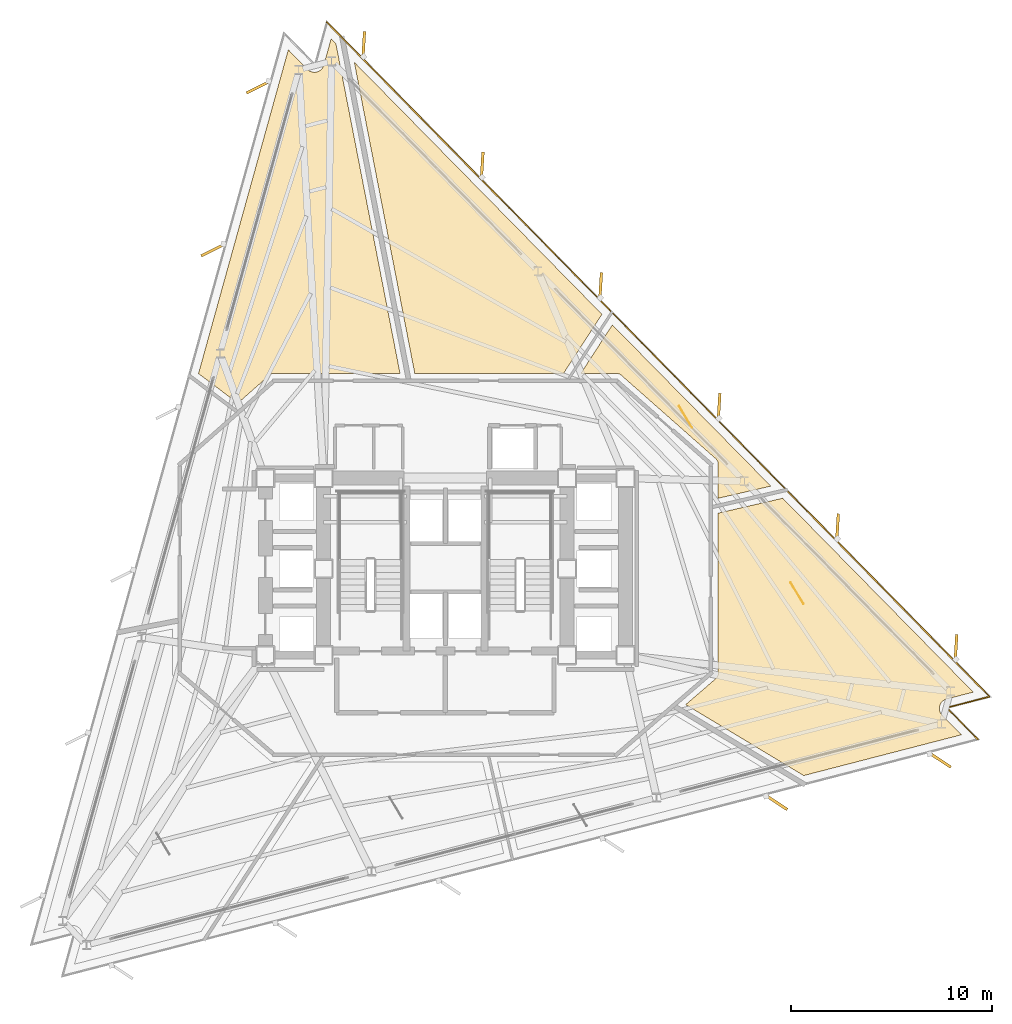
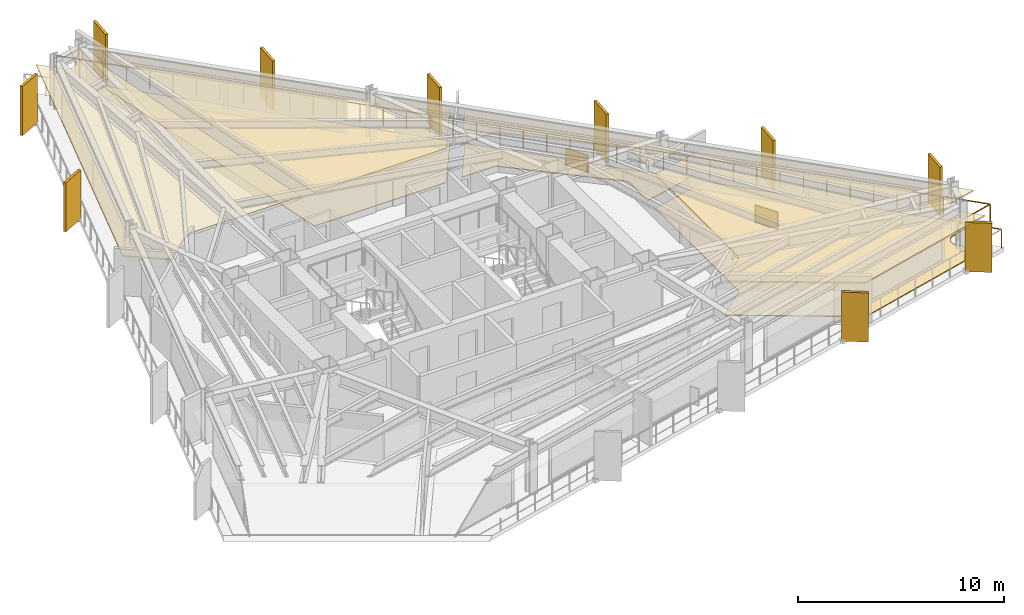
# One storey, part 11 of 11: 10 shading devices, 9 coverings, 1 railing.
"""IFC4 building model written with IfcOpenShell, lengths in metres."""

import ifcopenshell
import ifcopenshell.guid

model = None  # the IFC model being written
_history = None  # IfcOwnerHistory: only IFC2X3 demands one
_inside = {}  # id of a spatial element -> (the spatial element, [elements in it])
_under = {}  # id of a project, library or spatial element -> (it, [spatial elements below it])
_declared = {}  # id of a project -> (the project, [libraries it declares])
_typed = {}  # id of a type object -> (the type object, [elements of that type])
_made_of = {}  # id of a material, layer set ... -> (it, [elements and type objects made of it])


def new_model(schema):
    """Start an empty IFC model of exactly this schema.

    Asked for "IFC4X3", IfcOpenShell would pick the latest addendum, in which some entities
    have other attributes; the version numbers below select the first issue.
    IFC2X3 requires an IfcOwnerHistory on every rooted entity: one is made here for all.
    """
    global model, _history
    if schema == "IFC4X3":
        model = ifcopenshell.file(schema_version=(4, 3, 0, 0))
    else:
        model = ifcopenshell.file(schema=schema)
    _inside.clear()
    _under.clear()
    _declared.clear()
    _typed.clear()
    _made_of.clear()
    _history = None
    if model.schema == "IFC2X3":
        org = make("IfcOrganization", Name="unknown")
        user = make(
            "IfcPersonAndOrganization",
            ThePerson=make("IfcPerson", FamilyName="unknown"),
            TheOrganization=org,
        )
        app = make(
            "IfcApplication",
            ApplicationDeveloper=org,
            Version="unknown",
            ApplicationFullName="unknown",
            ApplicationIdentifier="unknown",
        )
        _history = make(
            "IfcOwnerHistory",
            OwningUser=user,
            OwningApplication=app,
            ChangeAction="ADDED",
            CreationDate=0,
        )
    return model


def make(cls, **values):
    """One entity of the class cls with the attributes given. An attribute that is None is left unset."""
    return model.create_entity(
        cls, **{name: value for name, value in values.items() if value is not None}
    )


def rooted(cls, **values):
    """An entity with a GlobalId (a new one), such as an element, a storey or a relation."""
    return make(cls, GlobalId=ifcopenshell.guid.new(), OwnerHistory=_history, **values)


def si_unit(unit_type, name, prefix=None):
    """IfcSIUnit, for example si_unit("LENGTHUNIT", "METRE", prefix="MILLI")."""
    return make("IfcSIUnit", UnitType=unit_type, Prefix=prefix, Name=name)


def assignment(units):
    """IfcUnitAssignment: the units of a project."""
    return None if units is None else make("IfcUnitAssignment", Units=units)


def point(xyz):
    """IfcCartesianPoint."""
    return None if xyz is None else make("IfcCartesianPoint", Coordinates=xyz)


def direction(xyz):
    """IfcDirection."""
    return None if xyz is None else make("IfcDirection", DirectionRatios=xyz)


def frame(location, z_axis=None, x_axis=None):
    """IfcAxis2Placement3D, a coordinate frame: its origin and axes. An axis left out is left unset."""
    return make(
        "IfcAxis2Placement3D",
        Location=point(location),
        Axis=direction(z_axis),
        RefDirection=direction(x_axis),
    )


def frame_2d(location, x_axis=None):
    """IfcAxis2Placement2D, a coordinate frame in the plane: its origin and x axis."""
    return make(
        "IfcAxis2Placement2D", Location=point(location), RefDirection=direction(x_axis)
    )


def origin():
    """The frame at (0, 0, 0) with its axes left unset."""
    return frame((0.0, 0.0, 0.0))


def origin_2d():
    """The frame at (0, 0) in the plane with its x axis left unset."""
    return frame_2d((0.0, 0.0))


def place(relative_to, where):
    """IfcLocalPlacement: puts the frame where relative to a parent placement (None: the world)."""
    return make(
        "IfcLocalPlacement", PlacementRelTo=relative_to, RelativePlacement=where
    )


def context(
    kind, dimensions, precision=None, world=None, true_north=None, identifier=None
):
    """IfcGeometricRepresentationContext, for example the 3D "Model" context."""
    return make(
        "IfcGeometricRepresentationContext",
        ContextIdentifier=identifier,
        ContextType=kind,
        CoordinateSpaceDimension=dimensions,
        Precision=precision,
        WorldCoordinateSystem=world,
        TrueNorth=true_north,
    )


def subcontext(parent, identifier, kind, view, scale=None):
    """IfcGeometricRepresentationSubContext, for example "Body" below "Model"."""
    return make(
        "IfcGeometricRepresentationSubContext",
        ContextIdentifier=identifier,
        ContextType=kind,
        ParentContext=parent,
        TargetScale=scale,
        TargetView=view,
    )


def project(units=None, contexts=None):
    """IfcProject with its units and contexts."""
    return rooted(
        "IfcProject",
        Name="project",
        RepresentationContexts=contexts,
        UnitsInContext=assignment(units),
    )


def spatial(cls, under=None, at=None, **own):
    """A site, building, storey or space (cls), placed at a placement, below another one or the project."""
    s = rooted(cls, ObjectPlacement=at, **own)
    if under is not None:
        _under.setdefault(under.id(), (under, []))[1].append(s)
    return s


def polyline(points):
    """IfcPolyline through the points."""
    return make("IfcPolyline", Points=[point(p) for p in points])


def profile(cls, at=None, kind="AREA", **sizes):
    """A parametric profile (cls). Its sizes go by their IFC names, for example OverallWidth=200.0."""
    return make(cls, ProfileType=kind, Position=at, **sizes)


def rectangle(**sizes):
    """IfcRectangleProfileDef."""
    return profile("IfcRectangleProfileDef", **sizes)


def outline(outer, holes=None, kind="AREA"):
    """IfcArbitraryClosedProfileDef: a profile drawn as a closed curve; with holes, ...WithVoids."""
    if holes is None:
        return make("IfcArbitraryClosedProfileDef", ProfileType=kind, OuterCurve=outer)
    return make(
        "IfcArbitraryProfileDefWithVoids",
        ProfileType=kind,
        OuterCurve=outer,
        InnerCurves=holes,
    )


def extrude(swept, where, along, depth):
    """IfcExtrudedAreaSolid: the profile swept, set in the frame where, extruded along a direction by depth."""
    return make(
        "IfcExtrudedAreaSolid",
        SweptArea=swept,
        Position=where,
        ExtrudedDirection=direction(along),
        Depth=depth,
    )


def shape(context_of_items, identifier, shape_type, items):
    """IfcShapeRepresentation: the items that make up one representation, for example the "Body"."""
    return make(
        "IfcShapeRepresentation",
        ContextOfItems=context_of_items,
        RepresentationIdentifier=identifier,
        RepresentationType=shape_type,
        Items=items,
    )


def material(Name=None, Category=None):
    """IfcMaterial."""
    return make("IfcMaterial", Name=Name, Category=Category)


def layer(
    of_material, thickness, ventilated=None, Name=None, Category=None, Priority=None
):
    """IfcMaterialLayer: one layer of a wall or slab, of a material (None: an air gap)."""
    return make(
        "IfcMaterialLayer",
        Material=of_material,
        LayerThickness=thickness,
        IsVentilated=ventilated,
        Name=Name,
        Category=Category,
        Priority=Priority,
    )


def layer_set(layers, Name=None):
    """IfcMaterialLayerSet."""
    return make("IfcMaterialLayerSet", MaterialLayers=layers, LayerSetName=Name)


def made_of(thing, what):
    """Note that an element or type object is made of a material, layer set ...; save() writes the relation."""
    if what is not None:
        _made_of.setdefault(what.id(), (what, []))[1].append(thing)
    return thing


def type_object(cls, material=None, **own):
    """A type object (cls), such as IfcWallType, which elements share."""
    return made_of(rooted(cls, **own), material)


def element(
    cls,
    number,
    at=None,
    inside=None,
    cuts=None,
    type_object=None,
    material=None,
    context=None,
    identifier="Body",
    shape_type=None,
    held_by="IfcProductDefinitionShape",
    body=None,
    shapes=None,
    **own,
):
    """One element of the class cls, such as IfcWall. Its Tag is "e" and its number.

    at: its placement. inside: the storey or other place that contains it. cuts: it is an
    opening in that element (IfcRelVoidsElement). A single representation is given by context,
    identifier, shape_type and body (its items); several are given by shapes. held_by: the class
    of the entity that holds the representations. save() writes the other relations.
    """
    e = rooted(cls, Tag="e%d" % number, ObjectPlacement=at, **own)
    if body is not None:
        shapes = [shape(context, identifier, shape_type, body)]
    if shapes is not None:
        e.Representation = make(held_by, Representations=shapes)
    if inside is not None:
        _inside.setdefault(inside.id(), (inside, []))[1].append(e)
    if cuts is not None:
        rooted(
            "IfcRelVoidsElement", RelatingBuildingElement=cuts, RelatedOpeningElement=e
        )
    if type_object is not None:
        _typed.setdefault(type_object.id(), (type_object, []))[1].append(e)
    return made_of(e, material)


def aggregate(whole, parts):
    """IfcRelAggregates: a whole, such as a stair, and the parts it consists of."""
    return rooted("IfcRelAggregates", RelatingObject=whole, RelatedObjects=parts)


def save(model, path):
    """Write the relations noted so far, then the file.

    IfcRelAggregates (storeys below a building ...), IfcRelContainedInSpatialStructure (elements
    in a storey), IfcRelDefinesByType, IfcRelAssociatesMaterial and IfcRelDeclares: one each for
    every whole, place, type object, material and project.
    """
    for whole, parts in _under.values():
        aggregate(whole, parts)
    for where, things in _inside.values():
        rooted(
            "IfcRelContainedInSpatialStructure",
            RelatedElements=things,
            RelatingStructure=where,
        )
    for kind, things in _typed.values():
        rooted("IfcRelDefinesByType", RelatedObjects=things, RelatingType=kind)
    for what, things in _made_of.values():
        rooted("IfcRelAssociatesMaterial", RelatedObjects=things, RelatingMaterial=what)
    for by, libraries in _declared.values():
        rooted("IfcRelDeclares", RelatingContext=by, RelatedDefinitions=libraries)
    model.write(path)


model = new_model("IFC4")

# Units and contexts
model_context = context("Model", 3, precision=1e-05, world=origin(), true_north=direction((0.0, 1.0)))
body_context = subcontext(model_context, "Body", "Model", "MODEL_VIEW")
ifc_project = project(units=[si_unit("LENGTHUNIT", "METRE"), si_unit("AREAUNIT", "SQUARE_METRE"), si_unit("VOLUMEUNIT", "CUBIC_METRE"), si_unit("PLANEANGLEUNIT", "RADIAN"), si_unit("MASSUNIT", "GRAM", prefix="KILO")], contexts=[model_context])

# Site, building, storey
site_placement = place(None, origin())
site = spatial("IfcSite", under=ifc_project, at=site_placement, CompositionType="ELEMENT")
building_placement = place(site_placement, origin())
building = spatial("IfcBuilding", under=site, at=building_placement, Name="Rocaltana Carrier Exchange", CompositionType="ELEMENT")
storey_placement = place(building_placement, frame((0.0, 0.0, 79.52001953125)))
storey = spatial("IfcBuildingStorey", under=building, at=storey_placement, Name="L24", CompositionType="ELEMENT", Elevation=79.52001953125)

# Coverings
ifc_material_1 = material(Name="Honed Bogota Sandstone Tile", Category="masonry")
ifc_layer_1 = layer(ifc_material_1, 0.0400390625)
ifc_layer_set_1 = layer_set([ifc_layer_1], Name="Honed Bogota Sandstone Tile")
covering_type_1 = type_object("IfcCoveringType", Name="Honed Stone Lobby Flooring 40", PredefinedType="FLOORING", material=ifc_layer_set_1)
covering_1_placement = place(storey_placement, origin())
element("IfcCovering", 1, at=covering_1_placement, inside=storey, type_object=covering_type_1, Name="L24 Optical Switching Laboratory Finish Floor", PredefinedType="FLOORING", context=body_context, shape_type="SweptSolid", body=[
    extrude(outline(polyline([(26.24072265625, -6.1357421875), (24.915771484375, -6.478515625), (24.90234375, -6.482177734375), (24.88330078125, -6.48828125), (24.857177734375, -6.497802734375), (24.838623046875, -6.505615234375), (24.813720703125, -6.517822265625), (24.796142578125, -6.52734375), (24.7724609375, -6.5419921875), (24.755859375, -6.553466796875), (24.73388671875, -6.5703125), (24.718505859375, -6.583251953125), (24.697998046875, -6.602294921875), (24.684326171875, -6.61669921875), (24.666015625, -6.6376953125), (24.653564453125, -6.6533203125), (24.63720703125, -6.67578125), (24.62646484375, -6.692626953125), (24.61279296875, -6.717041015625), (24.603515625, -6.734619140625), (24.59228515625, -6.76025390625), (24.5849609375, -6.77880859375), (24.576416015625, -6.805419921875), (24.57080078125, -6.824462890625), (24.564697265625, -6.851806640625), (24.561279296875, -6.871337890625), (24.55810546875, -6.899169921875), (24.556640625, -6.9189453125), (24.55615234375, -6.947021484375), (24.556640625, -6.966796875), (24.558837890625, -6.99462890625), (24.561279296875, -7.014404296875), (24.56640625, -7.0419921875), (24.57080078125, -7.061279296875), (24.57861328125, -7.088134765625), (24.5849609375, -7.10693359375), (24.59521484375, -7.133056640625), (24.603515625, -7.151123046875), (24.6162109375, -7.17578125), (24.626220703125, -7.193115234375), (24.6416015625, -7.216552734375), (24.6533203125, -7.232666015625), (24.6708984375, -7.25439453125), (24.68408203125, -7.269287109375), (24.693603515625, -7.279541015625), (25.65283203125, -8.255615234375), (17.81298828125, -10.283203125), (11.944580078125, -6.757080078125), (13.43505859375, -5.47265625), (13.44482421875, -5.4638671875), (13.450439453125, -5.45849609375), (13.468994140625, -5.439208984375), (13.47412109375, -5.433349609375), (13.490478515625, -5.41259765625), (13.4951171875, -5.40625), (13.509521484375, -5.3837890625), (13.51318359375, -5.377197265625), (13.525634765625, -5.353515625), (13.52880859375, -5.346435546875), (13.538818359375, -5.32177734375), (13.541259765625, -5.314453125), (13.548828125, -5.288818359375), (13.550537109375, -5.281494140625), (13.5556640625, -5.255126953125), (13.556884765625, -5.24755859375), (13.559326171875, -5.220947265625), (13.559814453125, -5.21337890625), (13.56005859375, -5.199951171875), (13.56005859375, 2.760986328125), (16.769775390625, 3.502197265625), (26.24072265625, -6.1357421875)])), origin(), (0.0, 0.0, 1.0), 0.0400390625),
])
covering_2_placement = place(storey_placement, origin())
element("IfcCovering", 2, at=covering_2_placement, inside=storey, type_object=covering_type_1, Name="L24 Executive Peering Boardroom Finish Floor", PredefinedType="FLOORING", context=body_context, shape_type="SweptSolid", body=[
    extrude(outline(polyline([(16.177734375, 4.1044921875), (13.56005859375, 3.5), (13.56005859375, 5.199951171875), (13.559814453125, 5.213134765625), (13.559326171875, 5.220703125), (13.556884765625, 5.246826171875), (13.555908203125, 5.25439453125), (13.55078125, 5.2802734375), (13.549072265625, 5.28759765625), (13.541748046875, 5.31298828125), (13.539306640625, 5.320068359375), (13.529541015625, 5.344482421875), (13.526611328125, 5.351318359375), (13.5146484375, 5.375), (13.5107421875, 5.38134765625), (13.49658203125, 5.40380859375), (13.492431640625, 5.409912109375), (13.476318359375, 5.4306640625), (13.471435546875, 5.436279296875), (13.453369140625, 5.455810546875), (13.447998046875, 5.4609375), (13.438232421875, 5.469970703125), (8.73828125, 9.619873046875), (8.727294921875, 9.629150390625), (8.720703125, 9.63427734375), (8.697265625, 9.651123046875), (8.690185546875, 9.655517578125), (8.6650390625, 9.669921875), (8.65771484375, 9.673583984375), (8.631103515625, 9.68505859375), (8.62353515625, 9.68798828125), (8.595947265625, 9.697021484375), (8.587890625, 9.698974609375), (8.5595703125, 9.704833984375), (8.551513671875, 9.706298828125), (8.522705078125, 9.709228515625), (8.514404296875, 9.709716796875), (8.5, 9.7099609375), (6.735107421875, 9.7099609375), (8.30029296875, 12.12060546875), (16.177734375, 4.1044921875)])), origin(), (0.0, 0.0, 1.0), 0.0400390625),
])
covering_3_placement = place(storey_placement, origin())
element("IfcCovering", 3, at=covering_3_placement, inside=storey, type_object=covering_type_1, Name="L24 Peering Conference Room Finish Floor", PredefinedType="FLOORING", context=body_context, shape_type="SweptSolid", body=[
    extrude(outline(polyline([(7.783447265625, 12.646484375), (5.87646484375, 9.7099609375), (-1.520751953125, 9.7099609375), (-4.5263671875, 25.173095703125), (7.783447265625, 12.646484375)])), origin(), (0.0, 0.0, 1.0), 0.0400390625),
])
ifc_material_2 = material(Name="Anodised Aluminium 6063-T6", Category="aluminium")
ifc_layer_2 = layer(ifc_material_2, 0.0849609375)
ifc_layer_set_2 = layer_set([ifc_layer_2], Name="Anodised Aluminium 6063-T6")
covering_type_2 = type_object("IfcCoveringType", Name="Linear Baffle Acoustic Ceiling 85", PredefinedType="CEILING", material=ifc_layer_set_2)
covering_4_placement = place(storey_placement, frame((0.0, 0.0, 1.972900390625)))
element("IfcCovering", 4, at=covering_4_placement, inside=storey, type_object=covering_type_2, Name="L24 Optical Switching Laboratory Acoustic Ceiling", PredefinedType="CEILING", context=body_context, shape_type="SweptSolid", body=[
    extrude(outline(polyline([(26.24072265625, -6.1357421875), (24.915771484375, -6.478515625), (24.90234375, -6.482177734375), (24.88330078125, -6.48828125), (24.857177734375, -6.497802734375), (24.838623046875, -6.505615234375), (24.813720703125, -6.517822265625), (24.796142578125, -6.52734375), (24.7724609375, -6.5419921875), (24.755859375, -6.553466796875), (24.73388671875, -6.5703125), (24.718505859375, -6.583251953125), (24.697998046875, -6.602294921875), (24.684326171875, -6.61669921875), (24.666015625, -6.6376953125), (24.653564453125, -6.6533203125), (24.63720703125, -6.67578125), (24.62646484375, -6.692626953125), (24.61279296875, -6.717041015625), (24.603515625, -6.734619140625), (24.59228515625, -6.76025390625), (24.5849609375, -6.77880859375), (24.576416015625, -6.805419921875), (24.57080078125, -6.824462890625), (24.564697265625, -6.851806640625), (24.561279296875, -6.871337890625), (24.55810546875, -6.899169921875), (24.556640625, -6.9189453125), (24.55615234375, -6.947021484375), (24.556640625, -6.966796875), (24.558837890625, -6.99462890625), (24.561279296875, -7.014404296875), (24.56640625, -7.0419921875), (24.57080078125, -7.061279296875), (24.57861328125, -7.088134765625), (24.5849609375, -7.10693359375), (24.59521484375, -7.133056640625), (24.603515625, -7.151123046875), (24.6162109375, -7.17578125), (24.626220703125, -7.193115234375), (24.6416015625, -7.216552734375), (24.6533203125, -7.232666015625), (24.6708984375, -7.25439453125), (24.68408203125, -7.269287109375), (24.693603515625, -7.279541015625), (25.65283203125, -8.255615234375), (17.81298828125, -10.283203125), (11.944580078125, -6.757080078125), (13.43505859375, -5.47265625), (13.44482421875, -5.4638671875), (13.450439453125, -5.45849609375), (13.468994140625, -5.439208984375), (13.47412109375, -5.433349609375), (13.490478515625, -5.41259765625), (13.4951171875, -5.40625), (13.509521484375, -5.3837890625), (13.51318359375, -5.377197265625), (13.525634765625, -5.353515625), (13.52880859375, -5.346435546875), (13.538818359375, -5.32177734375), (13.541259765625, -5.314453125), (13.548828125, -5.288818359375), (13.550537109375, -5.281494140625), (13.5556640625, -5.255126953125), (13.556884765625, -5.24755859375), (13.559326171875, -5.220947265625), (13.559814453125, -5.21337890625), (13.56005859375, -5.199951171875), (13.56005859375, 2.760986328125), (16.769775390625, 3.502197265625), (26.24072265625, -6.1357421875)])), origin(), (0.0, 0.0, 1.0), 0.0849609375),
])
covering_5_placement = place(storey_placement, frame((0.0, 0.0, 1.972900390625)))
element("IfcCovering", 5, at=covering_5_placement, inside=storey, type_object=covering_type_2, Name="L24 Executive Peering Boardroom Acoustic Ceiling", PredefinedType="CEILING", context=body_context, shape_type="SweptSolid", body=[
    extrude(outline(polyline([(16.177734375, 4.1044921875), (13.56005859375, 3.5), (13.56005859375, 5.199951171875), (13.559814453125, 5.213134765625), (13.559326171875, 5.220703125), (13.556884765625, 5.246826171875), (13.555908203125, 5.25439453125), (13.55078125, 5.2802734375), (13.549072265625, 5.28759765625), (13.541748046875, 5.31298828125), (13.539306640625, 5.320068359375), (13.529541015625, 5.344482421875), (13.526611328125, 5.351318359375), (13.5146484375, 5.375), (13.5107421875, 5.38134765625), (13.49658203125, 5.40380859375), (13.492431640625, 5.409912109375), (13.476318359375, 5.4306640625), (13.471435546875, 5.436279296875), (13.453369140625, 5.455810546875), (13.447998046875, 5.4609375), (13.438232421875, 5.469970703125), (8.73828125, 9.619873046875), (8.727294921875, 9.629150390625), (8.720703125, 9.63427734375), (8.697265625, 9.651123046875), (8.690185546875, 9.655517578125), (8.6650390625, 9.669921875), (8.65771484375, 9.673583984375), (8.631103515625, 9.68505859375), (8.62353515625, 9.68798828125), (8.595947265625, 9.697021484375), (8.587890625, 9.698974609375), (8.5595703125, 9.704833984375), (8.551513671875, 9.706298828125), (8.522705078125, 9.709228515625), (8.514404296875, 9.709716796875), (8.5, 9.7099609375), (6.735107421875, 9.7099609375), (8.30029296875, 12.12060546875), (16.177734375, 4.1044921875)])), origin(), (0.0, 0.0, 1.0), 0.0849609375),
])
covering_6_placement = place(storey_placement, frame((0.0, 0.0, 1.972900390625)))
element("IfcCovering", 6, at=covering_6_placement, inside=storey, type_object=covering_type_2, Name="L24 Peering Conference Room Acoustic Ceiling", PredefinedType="CEILING", context=body_context, shape_type="SweptSolid", body=[
    extrude(outline(polyline([(7.783447265625, 12.646484375), (5.87646484375, 9.7099609375), (-1.520751953125, 9.7099609375), (-4.5263671875, 25.173095703125), (7.783447265625, 12.646484375)])), origin(), (0.0, 0.0, 1.0), 0.0849609375),
])
covering_7_placement = place(storey_placement, frame((0.0, 0.0, 1.972900390625)))
element("IfcCovering", 7, at=covering_7_placement, inside=storey, type_object=covering_type_2, Name="L24 Quiet Focus Lounge Acoustic Ceiling", PredefinedType="CEILING", context=body_context, shape_type="SweptSolid", body=[
    extrude(outline(polyline([(-7.806640625, 25.79296875), (-6.847412109375, 24.81689453125), (-6.83740234375, 24.80712890625), (-6.82275390625, 24.793701171875), (-6.80126953125, 24.775634765625), (-6.785400390625, 24.763671875), (-6.76220703125, 24.748046875), (-6.7451171875, 24.73779296875), (-6.720703125, 24.724609375), (-6.70263671875, 24.7158203125), (-6.677001953125, 24.705078125), (-6.658203125, 24.698486328125), (-6.63134765625, 24.690185546875), (-6.612060546875, 24.685302734375), (-6.584716796875, 24.679931640625), (-6.56494140625, 24.677001953125), (-6.537109375, 24.67431640625), (-6.517333984375, 24.673583984375), (-6.489501953125, 24.673583984375), (-6.469482421875, 24.6748046875), (-6.441650390625, 24.677490234375), (-6.422119140625, 24.6806640625), (-6.39453125, 24.686279296875), (-6.375244140625, 24.691162109375), (-6.3486328125, 24.699462890625), (-6.330078125, 24.706298828125), (-6.30419921875, 24.71728515625), (-6.286376953125, 24.72607421875), (-6.261962890625, 24.739501953125), (-6.244873046875, 24.75), (-6.221923828125, 24.765869140625), (-6.2060546875, 24.77783203125), (-6.184814453125, 24.7958984375), (-6.170166015625, 24.8095703125), (-6.15087890625, 24.82958984375), (-6.1376953125, 24.844482421875), (-6.120361328125, 24.866455078125), (-6.108642578125, 24.8828125), (-6.09375, 24.90625), (-6.083740234375, 24.923583984375), (-6.071044921875, 24.948486328125), (-6.06298828125, 24.966552734375), (-6.052978515625, 24.99267578125), (-6.046630859375, 25.01171875), (-6.04248046875, 25.02490234375), (-5.6767578125, 26.34375), (-5.44091796875, 26.103759765625), (-2.254150390625, 9.7099609375), (-8.5, 9.7099609375), (-8.514404296875, 9.709716796875), (-8.522705078125, 9.709228515625), (-8.551513671875, 9.706298828125), (-8.5595703125, 9.704833984375), (-8.587890625, 9.698974609375), (-8.595947265625, 9.697021484375), (-8.62353515625, 9.68798828125), (-8.631103515625, 9.68505859375), (-8.65771484375, 9.673583984375), (-8.6650390625, 9.669921875), (-8.690185546875, 9.655517578125), (-8.697265625, 9.651123046875), (-8.720703125, 9.63427734375), (-8.727294921875, 9.629150390625), (-8.73828125, 9.619873046875), (-10.3173828125, 8.2255859375), (-12.2705078125, 9.697265625), (-7.806640625, 25.79296875)])), origin(), (0.0, 0.0, 1.0), 0.0849609375),
])
ifc_material_3 = material(Name="Honed Piedra Muneca Sandstone", Category="masonry")
ifc_layer_3 = layer(ifc_material_3, 0.034912109375)
ifc_layer_set_3 = layer_set([ifc_layer_3], Name="Honed Piedra Muneca Sandstone")
covering_type_3 = type_object("IfcCoveringType", Name="Stone Facade Cladding 35", PredefinedType="CLADDING", material=ifc_layer_set_3)
for number, where, z_axis, x_axis, name in (
    (8, (17.48486328125, -1.219482421875, 0.0), (0.0, 0.0, 1.0), (-0.51503807491, 0.857167300702, 0.0), "L24 Stone Facade Cladding Panel 4"),
    (9, (11.942626953125, 7.544921875, 0.0), (0.0, 0.0, 1.0), (-0.51503807491, 0.857167300702, 0.0), "L24 Stone Facade Cladding Panel 5"),
):
    element("IfcCovering", number, at=place(storey_placement, frame(where, z_axis=z_axis, x_axis=x_axis)), inside=storey, type_object=covering_type_3, Name=name, PredefinedType="CLADDING", context=body_context, shape_type="SweptSolid", body=[
        extrude(rectangle(XDim=1.25, YDim=0.034912109375, at=origin_2d()), origin(), (0.0, 0.0, 1.0), 1.050048828125),
    ])

# Shading devices
ifc_material_4 = material(Name="Honed Bogota Sandstone & Concrete C45/55", Category="masonry")
ifc_layer_4 = layer(ifc_material_4, 0.139892578125)
ifc_layer_set_4 = layer_set([ifc_layer_4], Name="Honed Bogota Sandstone & Concrete C45/55")
shading_device_type = type_object("IfcShadingDeviceType", Name="Vertical Sandstone Shading Fin 1320x140", PredefinedType="USERDEFINED", material=ifc_layer_set_4)
for number, where, z_axis, x_axis, name in (
    (10, (25.38134765625, -3.9189453125, -0.1201171875), (0.0, 0.0, 1.0), (0.061048539535, 0.998134798422, 0.0), "L24 Sandstone Vertical Fin F1-01"),
    (11, (19.49365234375, 2.072509765625, -0.1201171875), (0.0, 0.0, 1.0), (0.061048539535, 0.998134798422, 0.0), "L24 Sandstone Vertical Fin F1-02"),
    (12, (13.60595703125, 8.063720703125, -0.1201171875), (0.0, 0.0, 1.0), (0.061048539535, 0.998134798422, 0.0), "L24 Sandstone Vertical Fin F1-03"),
    (13, (7.718505859375, 14.054931640625, -0.1201171875), (0.0, 0.0, 1.0), (0.061048539535, 0.998134798422, 0.0), "L24 Sandstone Vertical Fin F1-04"),
    (14, (1.830810546875, 20.04638671875, -0.1201171875), (0.0, 0.0, 1.0), (0.061048539535, 0.998134798422, 0.0), "L24 Sandstone Vertical Fin F1-05"),
    (15, (-4.056884765625, 26.03759765625, -0.1201171875), (0.0, 0.0, 1.0), (0.061048539535, 0.998134798422, 0.0), "L24 Sandstone Vertical Fin F1-06"),
    (16, (-9.296630859375, 23.940185546875, -0.1201171875), (0.0, 0.0, 1.0), (-0.894934361602, -0.44619781311, 0.0), "L24 Sandstone Vertical Fin F2-01"),
    (17, (-11.54150390625, 15.845703125, -0.1201171875), (0.0, 0.0, 1.0), (-0.894934361602, -0.44619781311, 0.0), "L24 Sandstone Vertical Fin F2-02"),
    (18, (16.4453125, -11.608642578125, -0.1201171875), (0.0, 0.0, 1.0), (0.833885822067, -0.551936985312, 0.0), "L24 Sandstone Vertical Fin F3-05"),
    (19, (24.57763671875, -9.50537109375, -0.1201171875), (0.0, 0.0, 1.0), (0.833885822067, -0.551936985312, 0.0), "L24 Sandstone Vertical Fin F3-06"),
):
    element("IfcShadingDevice", number, at=place(storey_placement, frame(where, z_axis=z_axis, x_axis=x_axis)), inside=storey, type_object=shading_device_type, Name=name, ObjectType="FIN", PredefinedType="USERDEFINED", context=body_context, shape_type="SweptSolid", body=[
        extrude(rectangle(XDim=1.320068359375, YDim=0.139892578125, at=origin_2d()), origin(), (0.0, 0.0, 1.0), 2.907958984375),
    ])

# Railing
ifc_material_5 = material(Name="Powder-Coated Aluminium 6063-T6", Category="aluminium")
ifc_layer_5 = layer(ifc_material_5, 0.06005859375)
ifc_layer_set_5 = layer_set([ifc_layer_5], Name="Powder-Coated Aluminium 6063-T6")
railing_type = type_object("IfcRailingType", Name="Wind-Floor & Terrace Perimeter Guardrail 1100", PredefinedType="GUARDRAIL", material=ifc_layer_set_5)
railing_placement = place(storey_placement, frame((-5.88720703125, 27.156982421875, 0.0)))
element("IfcRailing", 20, at=railing_placement, inside=storey, type_object=railing_type, Name="L24 Perimeter Balcony Guardrail 3", PredefinedType="GUARDRAIL", context=body_context, shape_type="SweptSolid", body=[
    extrude(rectangle(XDim=0.048095703125, YDim=0.048095703125, at=origin_2d()), frame((0.0, 0.0, 1.076171875), z_axis=(0.7009130267, -0.713246751835, 0.0), x_axis=(0.713246751835, 0.7009130267, 0.0)), (0.0, 0.0, 1.0), 46.9921875),
    extrude(rectangle(XDim=0.048095703125, YDim=0.048095703125, at=origin_2d()), frame((32.9375, -33.51708984375, 1.076171875), z_axis=(-0.968152477167, -0.250361300835, 0.0), x_axis=(0.250361300835, -0.968152477167, 0.0)), (0.0, 0.0, 1.0), 2.199951171875),
    extrude(rectangle(XDim=0.048095703125, YDim=0.048095703125, at=origin_2d()), frame((30.8076171875, -34.06787109375, 1.076171875), z_axis=(0.700920820206, -0.713239093012, 0.0), x_axis=(0.713239093012, 0.700920820206, 0.0)), (0.0, 0.0, 1.0), 2.199951171875),
    extrude(rectangle(XDim=0.0419921875, YDim=0.0419921875, at=origin_2d()), origin(), (0.0, 0.0, 1.0), 1.052001953125),
    extrude(rectangle(XDim=0.0419921875, YDim=0.0419921875, at=origin_2d()), frame((0.823486328125, -0.837890625, 0.0)), (0.0, 0.0, 1.0), 1.052001953125),
    extrude(rectangle(XDim=0.0419921875, YDim=0.0419921875, at=origin_2d()), frame((1.64697265625, -1.67578125, 0.0)), (0.0, 0.0, 1.0), 1.052001953125),
    extrude(rectangle(XDim=0.0419921875, YDim=0.0419921875, at=origin_2d()), frame((2.47021484375, -2.513671875, 0.0)), (0.0, 0.0, 1.0), 1.052001953125),
    extrude(rectangle(XDim=0.0419921875, YDim=0.0419921875, at=origin_2d()), frame((3.293701171875, -3.351806640625, 0.0)), (0.0, 0.0, 1.0), 1.052001953125),
    extrude(rectangle(XDim=0.0419921875, YDim=0.0419921875, at=origin_2d()), frame((4.1171875, -4.189697265625, 0.0)), (0.0, 0.0, 1.0), 1.052001953125),
    extrude(rectangle(XDim=0.0419921875, YDim=0.0419921875, at=origin_2d()), frame((4.940673828125, -5.027587890625, 0.0)), (0.0, 0.0, 1.0), 1.052001953125),
    extrude(rectangle(XDim=0.0419921875, YDim=0.0419921875, at=origin_2d()), frame((5.76416015625, -5.865478515625, 0.0)), (0.0, 0.0, 1.0), 1.052001953125),
    extrude(rectangle(XDim=0.0419921875, YDim=0.0419921875, at=origin_2d()), frame((6.58740234375, -6.703369140625, 0.0)), (0.0, 0.0, 1.0), 1.052001953125),
    extrude(rectangle(XDim=0.0419921875, YDim=0.0419921875, at=origin_2d()), frame((7.410888671875, -7.541259765625, 0.0)), (0.0, 0.0, 1.0), 1.052001953125),
    extrude(rectangle(XDim=0.0419921875, YDim=0.0419921875, at=origin_2d()), frame((8.234375, -8.37939453125, 0.0)), (0.0, 0.0, 1.0), 1.052001953125),
    extrude(rectangle(XDim=0.0419921875, YDim=0.0419921875, at=origin_2d()), frame((9.057861328125, -9.21728515625, 0.0)), (0.0, 0.0, 1.0), 1.052001953125),
    extrude(rectangle(XDim=0.0419921875, YDim=0.0419921875, at=origin_2d()), frame((9.88134765625, -10.05517578125, 0.0)), (0.0, 0.0, 1.0), 1.052001953125),
    extrude(rectangle(XDim=0.0419921875, YDim=0.0419921875, at=origin_2d()), frame((10.70458984375, -10.89306640625, 0.0)), (0.0, 0.0, 1.0), 1.052001953125),
    extrude(rectangle(XDim=0.0419921875, YDim=0.0419921875, at=origin_2d()), frame((11.528076171875, -11.73095703125, 0.0)), (0.0, 0.0, 1.0), 1.052001953125),
    extrude(rectangle(XDim=0.0419921875, YDim=0.0419921875, at=origin_2d()), frame((12.3515625, -12.56884765625, 0.0)), (0.0, 0.0, 1.0), 1.052001953125),
    extrude(rectangle(XDim=0.0419921875, YDim=0.0419921875, at=origin_2d()), frame((13.175048828125, -13.40673828125, 0.0)), (0.0, 0.0, 1.0), 1.052001953125),
    extrude(rectangle(XDim=0.0419921875, YDim=0.0419921875, at=origin_2d()), frame((13.99853515625, -14.244873046875, 0.0)), (0.0, 0.0, 1.0), 1.052001953125),
    extrude(rectangle(XDim=0.0419921875, YDim=0.0419921875, at=origin_2d()), frame((14.82177734375, -15.082763671875, 0.0)), (0.0, 0.0, 1.0), 1.052001953125),
    extrude(rectangle(XDim=0.0419921875, YDim=0.0419921875, at=origin_2d()), frame((15.645263671875, -15.920654296875, 0.0)), (0.0, 0.0, 1.0), 1.052001953125),
    extrude(rectangle(XDim=0.0419921875, YDim=0.0419921875, at=origin_2d()), frame((16.46875, -16.758544921875, 0.0)), (0.0, 0.0, 1.0), 1.052001953125),
    extrude(rectangle(XDim=0.0419921875, YDim=0.0419921875, at=origin_2d()), frame((17.292236328125, -17.596435546875, 0.0)), (0.0, 0.0, 1.0), 1.052001953125),
    extrude(rectangle(XDim=0.0419921875, YDim=0.0419921875, at=origin_2d()), frame((18.11572265625, -18.434326171875, 0.0)), (0.0, 0.0, 1.0), 1.052001953125),
    extrude(rectangle(XDim=0.0419921875, YDim=0.0419921875, at=origin_2d()), frame((18.93896484375, -19.272216796875, 0.0)), (0.0, 0.0, 1.0), 1.052001953125),
    extrude(rectangle(XDim=0.0419921875, YDim=0.0419921875, at=origin_2d()), frame((19.762451171875, -20.1103515625, 0.0)), (0.0, 0.0, 1.0), 1.052001953125),
    extrude(rectangle(XDim=0.0419921875, YDim=0.0419921875, at=origin_2d()), frame((20.5859375, -20.9482421875, 0.0)), (0.0, 0.0, 1.0), 1.052001953125),
    extrude(rectangle(XDim=0.0419921875, YDim=0.0419921875, at=origin_2d()), frame((21.409423828125, -21.7861328125, 0.0)), (0.0, 0.0, 1.0), 1.052001953125),
    extrude(rectangle(XDim=0.0419921875, YDim=0.0419921875, at=origin_2d()), frame((22.23291015625, -22.6240234375, 0.0)), (0.0, 0.0, 1.0), 1.052001953125),
    extrude(rectangle(XDim=0.0419921875, YDim=0.0419921875, at=origin_2d()), frame((23.05615234375, -23.4619140625, 0.0)), (0.0, 0.0, 1.0), 1.052001953125),
    extrude(rectangle(XDim=0.0419921875, YDim=0.0419921875, at=origin_2d()), frame((23.879638671875, -24.2998046875, 0.0)), (0.0, 0.0, 1.0), 1.052001953125),
    extrude(rectangle(XDim=0.0419921875, YDim=0.0419921875, at=origin_2d()), frame((24.703125, -25.1376953125, 0.0)), (0.0, 0.0, 1.0), 1.052001953125),
    extrude(rectangle(XDim=0.0419921875, YDim=0.0419921875, at=origin_2d()), frame((25.526611328125, -25.975830078125, 0.0)), (0.0, 0.0, 1.0), 1.052001953125),
    extrude(rectangle(XDim=0.0419921875, YDim=0.0419921875, at=origin_2d()), frame((26.35009765625, -26.813720703125, 0.0)), (0.0, 0.0, 1.0), 1.052001953125),
    extrude(rectangle(XDim=0.0419921875, YDim=0.0419921875, at=origin_2d()), frame((27.17333984375, -27.651611328125, 0.0)), (0.0, 0.0, 1.0), 1.052001953125),
    extrude(rectangle(XDim=0.0419921875, YDim=0.0419921875, at=origin_2d()), frame((27.996826171875, -28.489501953125, 0.0)), (0.0, 0.0, 1.0), 1.052001953125),
    extrude(rectangle(XDim=0.0419921875, YDim=0.0419921875, at=origin_2d()), frame((28.8203125, -29.327392578125, 0.0)), (0.0, 0.0, 1.0), 1.052001953125),
    extrude(rectangle(XDim=0.0419921875, YDim=0.0419921875, at=origin_2d()), frame((29.643798828125, -30.165283203125, 0.0)), (0.0, 0.0, 1.0), 1.052001953125),
    extrude(rectangle(XDim=0.0419921875, YDim=0.0419921875, at=origin_2d()), frame((30.46728515625, -31.00341796875, 0.0)), (0.0, 0.0, 1.0), 1.052001953125),
    extrude(rectangle(XDim=0.0419921875, YDim=0.0419921875, at=origin_2d()), frame((31.29052734375, -31.84130859375, 0.0)), (0.0, 0.0, 1.0), 1.052001953125),
    extrude(rectangle(XDim=0.0419921875, YDim=0.0419921875, at=origin_2d()), frame((32.114013671875, -32.67919921875, 0.0)), (0.0, 0.0, 1.0), 1.052001953125),
    extrude(rectangle(XDim=0.0419921875, YDim=0.0419921875, at=origin_2d()), frame((32.9375, -33.51708984375, 0.0)), (0.0, 0.0, 1.0), 1.052001953125),
    extrude(rectangle(XDim=0.0419921875, YDim=0.0419921875, at=origin_2d()), frame((31.87255859375, -33.79248046875, 0.0)), (0.0, 0.0, 1.0), 1.052001953125),
    extrude(rectangle(XDim=0.0419921875, YDim=0.0419921875, at=origin_2d()), frame((30.8076171875, -34.06787109375, 0.0)), (0.0, 0.0, 1.0), 1.052001953125),
    extrude(rectangle(XDim=0.0419921875, YDim=0.0419921875, at=origin_2d()), frame((31.57861328125, -34.8525390625, 0.0)), (0.0, 0.0, 1.0), 1.052001953125),
    extrude(rectangle(XDim=0.0419921875, YDim=0.0419921875, at=origin_2d()), frame((32.349609375, -35.636962890625, 0.0)), (0.0, 0.0, 1.0), 1.052001953125),
])

save(model, "model.ifc")
